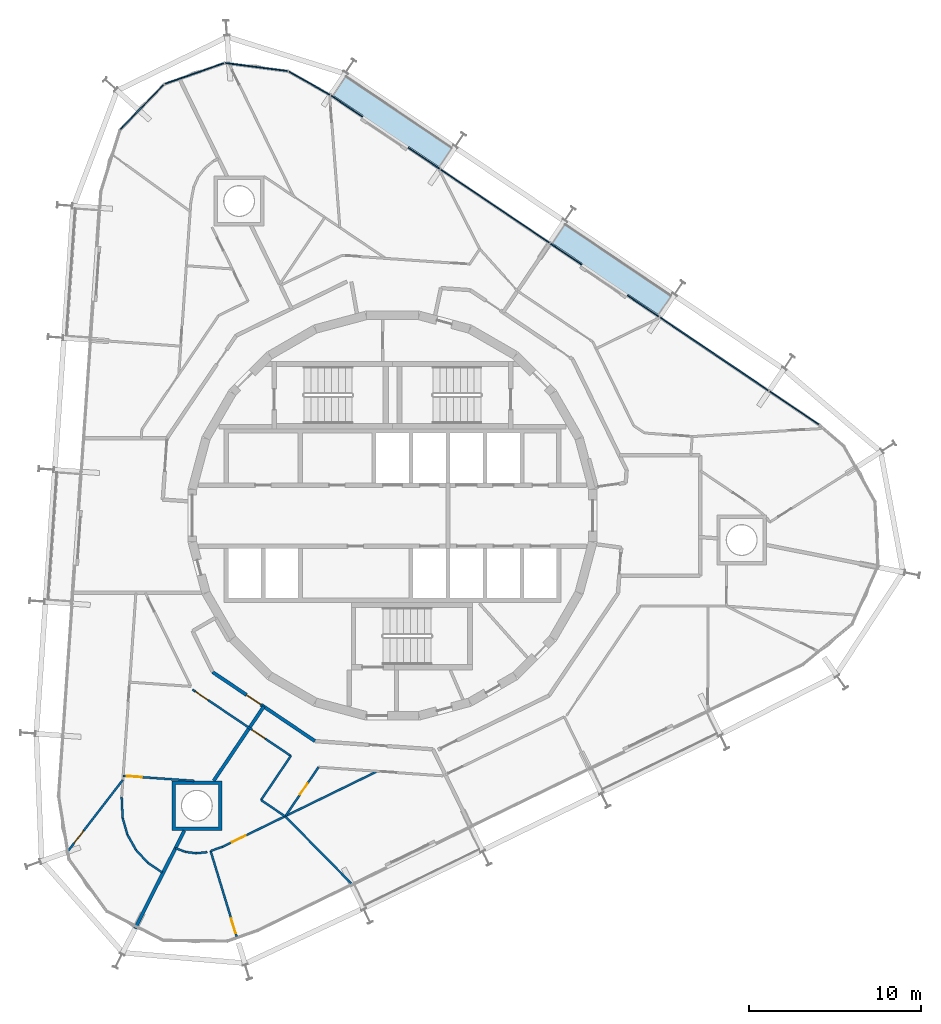
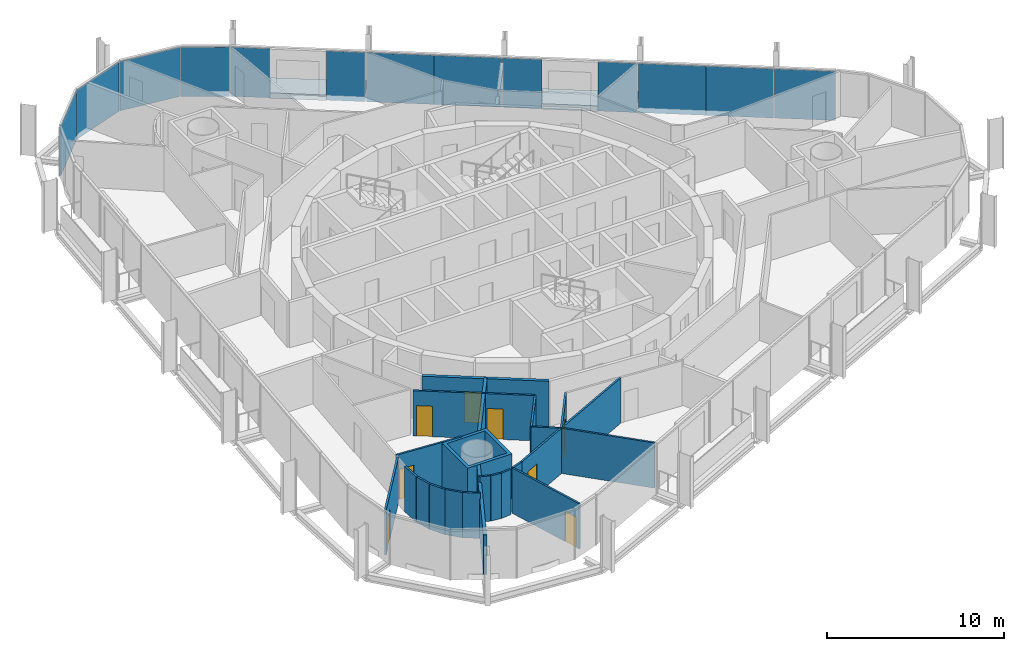
# One storey, part 11 of 17: 23 walls, 13 plates, 8 doors, 2 slabs, 8 openings, 3 elements without a shape of their own.
"""IFC4 building model written with IfcOpenShell, lengths in metres."""

from ifc_helpers import new_model, si_unit, direction, frame, frame_2d, origin, origin_2d, place, context, subcontext, project, spatial, polyline, rectangle, outline, extrude, material, layer, layer_set, type_object, element, fill, aggregate, save


model = new_model("IFC4")

# Units and contexts
model_context = context("Model", 3, precision=1e-05, world=origin(), true_north=direction((0.0, 1.0)))
body_context = subcontext(model_context, "Body", "Model", "MODEL_VIEW")
ifc_project = project(units=[si_unit("LENGTHUNIT", "METRE"), si_unit("AREAUNIT", "SQUARE_METRE"), si_unit("VOLUMEUNIT", "CUBIC_METRE"), si_unit("PLANEANGLEUNIT", "RADIAN"), si_unit("MASSUNIT", "GRAM", prefix="KILO")], contexts=[model_context])

# Site, building, storey
site_placement = place(None, origin())
site = spatial("IfcSite", under=ifc_project, at=site_placement, CompositionType="ELEMENT")
building_placement = place(site_placement, origin())
building = spatial("IfcBuilding", under=site, at=building_placement, Name="Spindle Arch Residences", CompositionType="ELEMENT")
storey_placement = place(building_placement, frame((0.0, 0.0, 209.39990234375)))
storey = spatial("IfcBuildingStorey", under=building, at=storey_placement, Name="L53", CompositionType="ELEMENT", Elevation=209.39990234375)

# Slabs
ifc_material_1 = material(Name="Concrete C40/50", Category="concrete")
ifc_layer_1 = layer(ifc_material_1, 0.3798828125)
ifc_layer_set_1 = layer_set([ifc_layer_1], Name="Balcony slab 380")
slab_type = type_object("IfcSlabType", Name="Balcony slab 380", PredefinedType="FLOOR", material=ifc_layer_set_1)
slab_1_placement = place(storey_placement, frame((0.0, 0.0, -0.3798828125)))
element("IfcSlab", 1, at=slab_1_placement, inside=storey, type_object=slab_type, Name="Balcony L53 bay 7", PredefinedType="FLOOR", context=body_context, shape_type="SweptSolid", body=[
    extrude(outline(polyline([(16.34228515625, 12.897216796875), (16.2802734375, 12.939208984375), (16.1962890625, 12.814697265625), (10.066650390625, 16.94921875), (10.150634765625, 17.07373046875), (10.08837890625, 17.115478515625), (9.255126953125, 15.88037109375), (11.0556640625, 14.665771484375), (10.96630859375, 14.533203125), (13.619140625, 12.74365234375), (13.70849609375, 12.87646484375), (15.50927734375, 11.661865234375), (16.34228515625, 12.897216796875)])), origin(), (0.0, 0.0, 1.0), 0.3798828125),
])
slab_2_placement = place(storey_placement, frame((0.0, 0.0, -0.3798828125)))
element("IfcSlab", 2, at=slab_2_placement, inside=storey, type_object=slab_type, Name="Balcony L53 bay 9", PredefinedType="FLOOR", context=body_context, shape_type="SweptSolid", body=[
    extrude(outline(polyline([(3.585693359375, 21.501708984375), (3.5234375, 21.543701171875), (3.439453125, 21.419189453125), (-2.690185546875, 25.5537109375), (-2.606201171875, 25.67822265625), (-2.66845703125, 25.719970703125), (-3.501708984375, 24.48486328125), (-1.701171875, 23.270263671875), (-1.79052734375, 23.1376953125), (0.8623046875, 21.348388671875), (0.951904296875, 21.48095703125), (2.75244140625, 20.266357421875), (3.585693359375, 21.501708984375)])), origin(), (0.0, 0.0, 1.0), 0.3798828125),
])

# Curtain wall, plate
ifc_material_2 = material(Name="Aluminium bronze unitised frame with tinted glass", Category="aluminium")
ifc_layer_2 = layer(ifc_material_2, 0.159912109375)
ifc_layer_set_2 = layer_set([ifc_layer_2], Name="CW-D corner wall on the fillet arcs")
curtain_wall_type_1 = type_object("IfcCurtainWallType", Name="CW-D corner wall on the fillet arcs", PredefinedType="NOTDEFINED", material=ifc_layer_set_2)
curtain_wall_1_placement = place(storey_placement, origin())
curtain_wall_1 = element("IfcCurtainWall", 3, at=curtain_wall_1_placement, inside=storey, type_object=curtain_wall_type_1, Name="CW-D L53 run 1", PredefinedType="NOTDEFINED")
ifc_material_3 = material(Name="Tinted double glazing over non-combustible spandrel zone with 0.55 mm stainless steel cavity fire stop (K0)", Category="steel")
ifc_layer_3 = layer(ifc_material_3, 0.070068359375)
ifc_layer_set_3 = layer_set([ifc_layer_3], Name="Unitised glass panel with spandrel zone and stainless cavity fire stop")
plate_type = type_object("IfcPlateType", Name="Unitised glass panel with spandrel zone and stainless cavity fire stop", PredefinedType="CURTAIN_PANEL", material=ifc_layer_set_3)
plate_1_placement = place(storey_placement, frame((23.36767578125, 6.264892578125, -0.3798828125), z_axis=(0.0, 0.0, 1.0), x_axis=(-0.829037572555, 0.559192903471, 0.0)))
plate_1 = element("IfcPlate", 4, at=plate_1_placement, type_object=plate_type, Name="CW-D unit 06", PredefinedType="CURTAIN_PANEL", context=body_context, shape_type="SweptSolid", body=[
    extrude(rectangle(XDim=3.468505859375, YDim=0.070068359375, at=origin_2d()), origin(), (0.0, 0.0, 1.0), 3.3798828125),
])
aggregate(curtain_wall_1, [plate_1])

# Curtain wall, plates
ifc_material_4 = material(Name="Aluminium bronze unitised frame with tinted glass", Category="aluminium")
ifc_layer_4 = layer(ifc_material_4, 0.159912109375)
ifc_layer_set_4 = layer_set([ifc_layer_4], Name="CW-C typical residential unitised wall")
curtain_wall_type_2 = type_object("IfcCurtainWallType", Name="CW-C typical residential unitised wall", PredefinedType="NOTDEFINED", material=ifc_layer_set_4)
curtain_wall_2_placement = place(storey_placement, origin())
curtain_wall_2 = element("IfcCurtainWall", 5, at=curtain_wall_2_placement, inside=storey, type_object=curtain_wall_type_2, Name="CW-C L53 run 2", PredefinedType="NOTDEFINED")
plate_2_placement = place(storey_placement, frame((20.2978515625, 8.335205078125, -0.3798828125), z_axis=(0.0, 0.0, 1.0), x_axis=(-0.829037572555, 0.559192903471, 0.0)))
plate_2 = element("IfcPlate", 6, at=plate_2_placement, type_object=plate_type, Name="CW-C unit 05A", PredefinedType="CURTAIN_PANEL", context=body_context, shape_type="SweptSolid", body=[
    extrude(rectangle(XDim=3.81689453125, YDim=0.070068359375, at=origin_2d()), origin(), (0.0, 0.0, 1.0), 3.3798828125),
])
plate_3_placement = place(storey_placement, frame((17.133544921875, 10.4697265625, -0.3798828125), z_axis=(0.0, 0.0, 1.0), x_axis=(-0.829037572555, 0.559192903471, 0.0)))
plate_3 = element("IfcPlate", 7, at=plate_3_placement, type_object=plate_type, Name="CW-C unit 05B", PredefinedType="CURTAIN_PANEL", context=body_context, shape_type="SweptSolid", body=[
    extrude(rectangle(XDim=3.81689453125, YDim=0.070068359375, at=origin_2d()), origin(), (0.0, 0.0, 1.0), 3.3798828125),
])
plate_4_placement = place(storey_placement, frame((14.582763671875, 12.190185546875, -0.3798828125), z_axis=(0.0, 0.0, 1.0), x_axis=(-0.829037572555, 0.559192903471, 0.0)))
plate_4 = element("IfcPlate", 8, at=plate_4_placement, type_object=plate_type, Name="CW-C unit 06L", PredefinedType="CURTAIN_PANEL", context=body_context, shape_type="SweptSolid", body=[
    extrude(rectangle(XDim=2.216796875, YDim=0.070068359375, at=origin_2d()), origin(), (0.0, 0.0, 1.0), 3.3798828125),
])
plate_5_placement = place(storey_placement, frame((10.092041015625, 15.21923828125, -0.3798828125), z_axis=(0.0, 0.0, 1.0), x_axis=(-0.829037572555, 0.559192903471, 0.0)))
plate_5 = element("IfcPlate", 9, at=plate_5_placement, type_object=plate_type, Name="CW-C unit 06R", PredefinedType="CURTAIN_PANEL", context=body_context, shape_type="SweptSolid", body=[
    extrude(rectangle(XDim=2.216796875, YDim=0.070068359375, at=origin_2d()), origin(), (0.0, 0.0, 1.0), 3.3798828125),
])
plate_6_placement = place(storey_placement, frame((7.541259765625, 16.93994140625, -0.3798828125), z_axis=(0.0, 0.0, 1.0), x_axis=(-0.829037572555, 0.559192903471, 0.0)))
plate_6 = element("IfcPlate", 10, at=plate_6_placement, type_object=plate_type, Name="CW-C unit 07A", PredefinedType="CURTAIN_PANEL", context=body_context, shape_type="SweptSolid", body=[
    extrude(rectangle(XDim=3.81689453125, YDim=0.070068359375, at=origin_2d()), origin(), (0.0, 0.0, 1.0), 3.3798828125),
])
plate_7_placement = place(storey_placement, frame((4.376953125, 19.07421875, -0.3798828125), z_axis=(0.0, 0.0, 1.0), x_axis=(-0.829037572555, 0.559192903471, 0.0)))
plate_7 = element("IfcPlate", 11, at=plate_7_placement, type_object=plate_type, Name="CW-C unit 07B", PredefinedType="CURTAIN_PANEL", context=body_context, shape_type="SweptSolid", body=[
    extrude(rectangle(XDim=3.81689453125, YDim=0.070068359375, at=origin_2d()), origin(), (0.0, 0.0, 1.0), 3.3798828125),
])
plate_8_placement = place(storey_placement, frame((1.825927734375, 20.794677734375, -0.3798828125), z_axis=(0.0, 0.0, 1.0), x_axis=(-0.829037572555, 0.559192903471, 0.0)))
plate_8 = element("IfcPlate", 12, at=plate_8_placement, type_object=plate_type, Name="CW-C unit 08L", PredefinedType="CURTAIN_PANEL", context=body_context, shape_type="SweptSolid", body=[
    extrude(rectangle(XDim=2.216796875, YDim=0.070068359375, at=origin_2d()), origin(), (0.0, 0.0, 1.0), 3.3798828125),
])
plate_9_placement = place(storey_placement, frame((-2.664794921875, 23.82373046875, -0.3798828125), z_axis=(0.0, 0.0, 1.0), x_axis=(-0.829037572555, 0.559192903471, 0.0)))
plate_9 = element("IfcPlate", 13, at=plate_9_placement, type_object=plate_type, Name="CW-C unit 08R", PredefinedType="CURTAIN_PANEL", context=body_context, shape_type="SweptSolid", body=[
    extrude(rectangle(XDim=2.216796875, YDim=0.070068359375, at=origin_2d()), origin(), (0.0, 0.0, 1.0), 3.3798828125),
])
aggregate(curtain_wall_2, [plate_2, plate_3, plate_4, plate_5, plate_6, plate_7, plate_8, plate_9])

curtain_wall_3_placement = place(storey_placement, origin())
curtain_wall_3 = element("IfcCurtainWall", 14, at=curtain_wall_3_placement, inside=storey, type_object=curtain_wall_type_1, Name="CW-D L53 run 3", PredefinedType="NOTDEFINED")
plate_10_placement = place(storey_placement, frame((-4.84130859375, 25.16064453125, -0.3798828125), z_axis=(0.0, 0.0, 1.0), x_axis=(-0.86953871595, 0.493864780547, 0.0)))
plate_10 = element("IfcPlate", 15, at=plate_10_placement, type_object=plate_type, Name="CW-D unit 00", PredefinedType="CURTAIN_PANEL", context=body_context, shape_type="SweptSolid", body=[
    extrude(rectangle(XDim=2.775634765625, YDim=0.070068359375, at=origin_2d()), origin(), (0.0, 0.0, 1.0), 3.3798828125),
])
plate_11_placement = place(storey_placement, frame((-7.92236328125, 26.0986328125, -0.3798828125), z_axis=(0.0, 0.0, 1.0), x_axis=(-0.991820351023, 0.127641651888, 0.0)))
plate_11 = element("IfcPlate", 16, at=plate_11_placement, type_object=plate_type, Name="CW-D unit 01", PredefinedType="CURTAIN_PANEL", context=body_context, shape_type="SweptSolid", body=[
    extrude(rectangle(XDim=3.666748046875, YDim=0.070068359375, at=origin_2d()), origin(), (0.0, 0.0, 1.0), 3.3798828125),
])
plate_12_placement = place(storey_placement, frame((-11.52880859375, 25.7197265625, -0.3798828125), z_axis=(0.0, 0.0, 1.0), x_axis=(-0.943608508302, -0.331063412445, 0.0)))
plate_12 = element("IfcPlate", 17, at=plate_12_placement, type_object=plate_type, Name="CW-D unit 02", PredefinedType="CURTAIN_PANEL", context=body_context, shape_type="SweptSolid", body=[
    extrude(rectangle(XDim=3.666748046875, YDim=0.070068359375, at=origin_2d()), origin(), (0.0, 0.0, 1.0), 3.3798828125),
])
plate_13_placement = place(storey_placement, frame((-14.58154296875, 23.762451171875, -0.3798828125), z_axis=(0.0, 0.0, 1.0), x_axis=(-0.694658368802, -0.719339801939, 0.0)))
plate_13 = element("IfcPlate", 18, at=plate_13_placement, type_object=plate_type, Name="CW-D unit 03", PredefinedType="CURTAIN_PANEL", context=body_context, shape_type="SweptSolid", body=[
    extrude(rectangle(XDim=3.666748046875, YDim=0.070068359375, at=origin_2d()), origin(), (0.0, 0.0, 1.0), 3.3798828125),
])
aggregate(curtain_wall_3, [plate_10, plate_11, plate_12, plate_13])

# Wall, opening, door
ifc_material_5 = material(Name="Calcium silicate block, plastered")
ifc_layer_5 = layer(ifc_material_5, 0.199951171875)
ifc_layer_set_5 = layer_set([ifc_layer_5], Name="Corridor wall 200")
wall_type_1 = type_object("IfcWallType", Name="Corridor wall 200", PredefinedType="STANDARD", material=ifc_layer_set_5)
wall_1_placement = place(storey_placement, frame((-10.469970703125, -9.101318359375, 0.0), z_axis=(0.0, 0.0, 1.0), x_axis=(0.829035841718, -0.559195469534, 0.0)))
wall_1 = element("IfcWall", 19, at=wall_1_placement, inside=storey, type_object=wall_type_1, Name="Corridor wall R5C0-W017", PredefinedType="STANDARD", context=body_context, shape_type="SweptSolid", body=[
    extrude(rectangle(XDim=7.18115234375, YDim=0.199951171875, at=frame_2d((3.590576171875, 0.0))), origin(), (0.0, 0.0, 1.0), 3.1201171875),
])
opening_1_placement = place(wall_1_placement, frame((2.390380859375, 0.0, 0.0)))
opening_1 = element("IfcOpeningElement", 20, at=opening_1_placement, cuts=wall_1, Name="Opening R5C0-FD04", PredefinedType="OPENING", context=body_context, shape_type="SweptSolid", body=[
    extrude(rectangle(XDim=1.0, YDim=2.10009765625, at=frame_2d((0.5, 1.050048828125))), frame((0.0, 0.10986328125, 0.0), z_axis=(0.0, -1.0, 0.0), x_axis=(1.0, 0.0, 0.0)), (0.0, 0.0, 1.0), 0.219970703125),
])
ifc_material_6 = material(Name="Timber, fire-resisting door set", Category="wood")
door_type_1 = type_object("IfcDoorType", Name="Flat entrance door 1000x2100", OperationType="NOTDEFINED", PredefinedType="DOOR", material=ifc_material_6)
door_1_placement = place(opening_1_placement, origin())
door_1 = element("IfcDoor", 21, at=door_1_placement, inside=storey, type_object=door_type_1, Name="Flat entrance door R5C0-FD04", OperationType="SINGLE_SWING_RIGHT", OverallHeight=2.10009765625, OverallWidth=1.0, PredefinedType="DOOR", context=body_context, shape_type="SweptSolid", body=[
    extrude(rectangle(XDim=1.0, YDim=2.10009765625, at=frame_2d((0.5, 1.050048828125))), frame((0.0, 0.02490234375, 0.0), z_axis=(0.0, -1.0, 0.0), x_axis=(1.0, 0.0, 0.0)), (0.0, 0.0, 1.0), 0.050048828125),
])
fill(opening_1, door_1)

# Wall, openings, doors
ifc_material_7 = material(Name="Plasterboard on steel studs", Category="steel")
ifc_layer_6 = layer(ifc_material_7, 0.1201171875)
ifc_layer_set_6 = layer_set([ifc_layer_6], Name="Flat partition 120")
wall_type_2 = type_object("IfcWallType", Name="Flat partition 120", PredefinedType="PARTITIONING", material=ifc_layer_set_6)
wall_2_placement = place(storey_placement, frame((-11.641845703125, -10.1201171875, 0.0), z_axis=(0.0, 0.0, 1.0), x_axis=(0.829029427133, -0.559204979365, 0.0)))
wall_2 = element("IfcWall", 22, at=wall_2_placement, inside=storey, type_object=wall_type_2, Name="Flat partition R5C0-W071", PredefinedType="PARTITIONING", context=body_context, shape_type="SweptSolid", body=[
    extrude(rectangle(XDim=6.90380859375, YDim=0.1201171875, at=frame_2d((3.451904296875, 0.0))), origin(), (0.0, 0.0, 1.0), 3.1201171875),
])
opening_2_placement = place(wall_2_placement, frame((0.199951171875, 0.0, 0.0)))
opening_2 = element("IfcOpeningElement", 23, at=opening_2_placement, cuts=wall_2, Name="Opening R5C0-ID14", PredefinedType="OPENING", context=body_context, shape_type="SweptSolid", body=[
    extrude(rectangle(XDim=0.89990234375, YDim=2.10009765625, at=frame_2d((0.449951171875, 1.050048828125))), frame((0.0, 0.070068359375, 0.0), z_axis=(0.0, -1.0, 0.0), x_axis=(1.0, 0.0, 0.0)), (0.0, 0.0, 1.0), 0.14013671875),
])
opening_3_placement = place(wall_2_placement, frame((4.1923828125, 0.0, 0.0)))
opening_3 = element("IfcOpeningElement", 24, at=opening_3_placement, cuts=wall_2, Name="Opening R5C0-ID18", PredefinedType="OPENING", context=body_context, shape_type="SweptSolid", body=[
    extrude(rectangle(XDim=0.89990234375, YDim=2.10009765625, at=frame_2d((0.449951171875, 1.050048828125))), frame((0.0, 0.070068359375, 0.0), z_axis=(0.0, -1.0, 0.0), x_axis=(1.0, 0.0, 0.0)), (0.0, 0.0, 1.0), 0.14013671875),
])
ifc_material_8 = material(Name="Timber door set", Category="wood")
door_type_2 = type_object("IfcDoorType", Name="Room door 900x2100", OperationType="NOTDEFINED", PredefinedType="DOOR", material=ifc_material_8)
door_2_placement = place(opening_2_placement, origin())
door_2 = element("IfcDoor", 25, at=door_2_placement, inside=storey, type_object=door_type_2, Name="Room door R5C0-ID14", OperationType="SINGLE_SWING_RIGHT", OverallHeight=2.10009765625, OverallWidth=0.89990234375, PredefinedType="DOOR", context=body_context, shape_type="SweptSolid", body=[
    extrude(rectangle(XDim=0.89990234375, YDim=2.10009765625, at=frame_2d((0.449951171875, 1.050048828125))), frame((0.0, 0.02490234375, 0.0), z_axis=(0.0, -1.0, 0.0), x_axis=(1.0, 0.0, 0.0)), (0.0, 0.0, 1.0), 0.050048828125),
])
fill(opening_2, door_2)
door_3_placement = place(opening_3_placement, origin())
door_3 = element("IfcDoor", 26, at=door_3_placement, inside=storey, type_object=door_type_2, Name="Room door R5C0-ID18", OperationType="SINGLE_SWING_LEFT", OverallHeight=2.10009765625, OverallWidth=0.89990234375, PredefinedType="DOOR", context=body_context, shape_type="SweptSolid", body=[
    extrude(rectangle(XDim=0.89990234375, YDim=2.10009765625, at=frame_2d((0.449951171875, 1.050048828125))), frame((0.0, 0.02490234375, 0.0), z_axis=(0.0, -1.0, 0.0), x_axis=(1.0, 0.0, 0.0)), (0.0, 0.0, 1.0), 0.050048828125),
])
fill(opening_3, door_3)

# Wall, opening, door
wall_3_placement = place(storey_placement, frame((-18.892333984375, -19.530517578125, 0.0), z_axis=(0.0, 0.0, 1.0), x_axis=(0.610347240441, 0.792133982408, 0.0)))
wall_3 = element("IfcWall", 27, at=wall_3_placement, inside=storey, type_object=wall_type_2, Name="Flat partition R5C0-W074", PredefinedType="PARTITIONING", context=body_context, shape_type="SweptSolid", body=[
    extrude(rectangle(XDim=5.244384765625, YDim=0.1201171875, at=frame_2d((2.6220703125, 0.0))), origin(), (0.0, 0.0, 1.0), 3.1201171875),
])
opening_4_placement = place(wall_3_placement, frame((0.60009765625, 0.0, 0.0)))
opening_4 = element("IfcOpeningElement", 28, at=opening_4_placement, cuts=wall_3, Name="Opening R5C0-ID17", PredefinedType="OPENING", context=body_context, shape_type="SweptSolid", body=[
    extrude(rectangle(XDim=0.89990234375, YDim=2.10009765625, at=frame_2d((0.449951171875, 1.050048828125))), frame((0.0, 0.070068359375, 0.0), z_axis=(0.0, -1.0, 0.0), x_axis=(1.0, 0.0, 0.0)), (0.0, 0.0, 1.0), 0.14013671875),
])
door_4_placement = place(opening_4_placement, origin())
door_4 = element("IfcDoor", 29, at=door_4_placement, inside=storey, type_object=door_type_2, Name="Room door R5C0-ID17", OperationType="SINGLE_SWING_RIGHT", OverallHeight=2.10009765625, OverallWidth=0.89990234375, PredefinedType="DOOR", context=body_context, shape_type="SweptSolid", body=[
    extrude(rectangle(XDim=0.89990234375, YDim=2.10009765625, at=frame_2d((0.449951171875, 1.050048828125))), frame((0.0, 0.02490234375, 0.0), z_axis=(0.0, -1.0, 0.0), x_axis=(1.0, 0.0, 0.0)), (0.0, 0.0, 1.0), 0.050048828125),
])
fill(opening_4, door_4)

wall_4_placement = place(storey_placement, frame((-15.675048828125, -15.14111328125, 0.0), z_axis=(0.0, 0.0, 1.0), x_axis=(0.997563107735, -0.06976995117, 0.0)))
wall_4 = element("IfcWall", 30, at=wall_4_placement, inside=storey, type_object=wall_type_2, Name="Flat partition R5C0-W075", PredefinedType="PARTITIONING", context=body_context, shape_type="SweptSolid", body=[
    extrude(rectangle(XDim=4.146484375, YDim=0.1201171875, at=frame_2d((2.0732421875, 0.0))), origin(), (0.0, 0.0, 1.0), 3.1201171875),
])
opening_5_placement = place(wall_4_placement, frame((0.199951171875, 0.0, 0.0)))
opening_5 = element("IfcOpeningElement", 31, at=opening_5_placement, cuts=wall_4, Name="Opening R5C0-ID16", PredefinedType="OPENING", context=body_context, shape_type="SweptSolid", body=[
    extrude(rectangle(XDim=0.89990234375, YDim=2.10009765625, at=frame_2d((0.449951171875, 1.050048828125))), frame((0.0, 0.070068359375, 0.0), z_axis=(0.0, -1.0, 0.0), x_axis=(1.0, 0.0, 0.0)), (0.0, 0.0, 1.0), 0.14013671875),
])
door_5_placement = place(opening_5_placement, origin())
door_5 = element("IfcDoor", 32, at=door_5_placement, inside=storey, type_object=door_type_2, Name="Room door R5C0-ID16", OperationType="SINGLE_SWING_RIGHT", OverallHeight=2.10009765625, OverallWidth=0.89990234375, PredefinedType="DOOR", context=body_context, shape_type="SweptSolid", body=[
    extrude(rectangle(XDim=0.89990234375, YDim=2.10009765625, at=frame_2d((0.449951171875, 1.050048828125))), frame((0.0, 0.02490234375, 0.0), z_axis=(0.0, -1.0, 0.0), x_axis=(1.0, 0.0, 0.0)), (0.0, 0.0, 1.0), 0.050048828125),
])
fill(opening_5, door_5)

# Walls
for number, where, z_axis, x_axis, name in (
    (33, (-13.39501953125, -20.767333984375, 0.0), (0.0, 0.0, 1.0), (-0.829155030747, 0.559018725077, 0.0), "Flat partition R5C0-W076"),
    (34, (-14.2373046875, -20.199462890625, 0.0), (0.0, 0.0, 1.0), (-0.677681015856, 0.735355995929, 0.0), "Flat partition R5C0-W077"),
):
    element("IfcWall", number, at=place(storey_placement, frame(where, z_axis=z_axis, x_axis=x_axis)), inside=storey, type_object=wall_type_2, Name=name, PredefinedType="PARTITIONING", context=body_context, shape_type="SweptSolid", body=[
        extrude(rectangle(XDim=1.015869140625, YDim=0.1201171875, at=frame_2d((0.5078125, 0.0))), origin(), (0.0, 0.0, 1.0), 3.1201171875),
    ])
wall_5_placement = place(storey_placement, frame((-14.92578125, -19.452392578125, 0.0), z_axis=(0.0, 0.0, 1.0), x_axis=(-0.489941776958, 0.871755157823, 0.0)))
element("IfcWall", 35, at=wall_5_placement, inside=storey, type_object=wall_type_2, Name="Flat partition R5C0-W078", PredefinedType="PARTITIONING", context=body_context, shape_type="SweptSolid", body=[
    extrude(rectangle(XDim=1.01611328125, YDim=0.1201171875, at=frame_2d((0.508056640625, 0.0))), origin(), (0.0, 0.0, 1.0), 3.1201171875),
])
wall_6_placement = place(storey_placement, frame((-15.423583984375, -18.566650390625, 0.0), z_axis=(0.0, 0.0, 1.0), x_axis=(-0.275641454312, 0.961260520704, 0.0)))
element("IfcWall", 36, at=wall_6_placement, inside=storey, type_object=wall_type_2, Name="Flat partition R5C0-W079", PredefinedType="PARTITIONING", context=body_context, shape_type="SweptSolid", body=[
    extrude(rectangle(XDim=1.015869140625, YDim=0.1201171875, at=frame_2d((0.5078125, 0.0))), origin(), (0.0, 0.0, 1.0), 3.1201171875),
])
wall_7_placement = place(storey_placement, frame((-15.70361328125, -17.590087890625, 0.0), z_axis=(0.0, 0.0, 1.0), x_axis=(-0.046364428258, 0.998924591645, 0.0)))
element("IfcWall", 37, at=wall_7_placement, inside=storey, type_object=wall_type_2, Name="Flat partition R5C0-W080", PredefinedType="PARTITIONING", context=body_context, shape_type="SweptSolid", body=[
    extrude(rectangle(XDim=1.226806640625, YDim=0.1201171875, at=frame_2d((0.61328125, 0.0))), origin(), (0.0, 0.0, 1.0), 3.1201171875),
])
wall_8_placement = place(storey_placement, frame((-5.91845703125, -13.980712890625, 0.0), z_axis=(0.0, 0.0, 1.0), x_axis=(-0.559254999968, -0.828995684555, 0.0)))
element("IfcWall", 38, at=wall_8_placement, inside=storey, type_object=wall_type_2, Name="Flat partition R5C0-W081", PredefinedType="PARTITIONING", context=body_context, shape_type="SweptSolid", body=[
    extrude(rectangle(XDim=3.09912109375, YDim=0.1201171875, at=frame_2d((1.549560546875, 0.0))), origin(), (0.0, 0.0, 1.0), 3.1201171875),
])
wall_9_placement = place(storey_placement, frame((-7.651611328125, -16.5498046875, 0.0), z_axis=(0.0, 0.0, 1.0), x_axis=(0.829053397483, -0.559169441334, 0.0)))
element("IfcWall", 39, at=wall_9_placement, inside=storey, type_object=wall_type_2, Name="Flat partition R5C0-W082", PredefinedType="PARTITIONING", context=body_context, shape_type="SweptSolid", body=[
    extrude(rectangle(XDim=1.686279296875, YDim=0.1201171875, at=frame_2d((0.84326171875, 0.0))), origin(), (0.0, 0.0, 1.0), 3.1201171875),
])

# Wall, opening, door
wall_10_placement = place(storey_placement, frame((-6.228515625, -17.480224609375, 0.0), z_axis=(0.0, 0.0, 1.0), x_axis=(0.559206483048, 0.829028412853, 0.0)))
wall_10 = element("IfcWall", 40, at=wall_10_placement, inside=storey, type_object=wall_type_2, Name="Flat partition R5C0-W083", PredefinedType="PARTITIONING", context=body_context, shape_type="SweptSolid", body=[
    extrude(rectangle(XDim=3.431884765625, YDim=0.1201171875, at=frame_2d((1.7158203125, 0.0))), origin(), (0.0, 0.0, 1.0), 3.1201171875),
])
opening_6_placement = place(wall_10_placement, frame((1.5, 0.0, 0.0)))
opening_6 = element("IfcOpeningElement", 41, at=opening_6_placement, cuts=wall_10, Name="Opening R5C0-BD05", PredefinedType="OPENING", context=body_context, shape_type="SweptSolid", body=[
    extrude(rectangle(XDim=0.800048828125, YDim=2.10009765625, at=frame_2d((0.39990234375, 1.050048828125))), frame((0.0, 0.070068359375, 0.0), z_axis=(0.0, -1.0, 0.0), x_axis=(1.0, 0.0, 0.0)), (0.0, 0.0, 1.0), 0.14013671875),
])
ifc_material_9 = material(Name="Timber door set", Category="wood")
door_type_3 = type_object("IfcDoorType", Name="Bathroom door 800x2100", OperationType="NOTDEFINED", PredefinedType="DOOR", material=ifc_material_9)
door_6_placement = place(opening_6_placement, origin())
door_6 = element("IfcDoor", 42, at=door_6_placement, inside=storey, type_object=door_type_3, Name="Bathroom door R5C0-BD05", OperationType="SINGLE_SWING_LEFT", OverallHeight=2.10009765625, OverallWidth=0.800048828125, PredefinedType="DOOR", context=body_context, shape_type="SweptSolid", body=[
    extrude(rectangle(XDim=0.800048828125, YDim=2.10009765625, at=frame_2d((0.39990234375, 1.050048828125))), frame((0.0, 0.02490234375, 0.0), z_axis=(0.0, -1.0, 0.0), x_axis=(1.0, 0.0, 0.0)), (0.0, 0.0, 1.0), 0.050048828125),
])
fill(opening_6, door_6)

# Walls
wall_11_placement = place(storey_placement, frame((-12.627685546875, -19.3466796875, 0.0), z_axis=(0.0, 0.0, 1.0), x_axis=(0.935507243946, -0.353307509862, 0.0)))
element("IfcWall", 43, at=wall_11_placement, inside=storey, type_object=wall_type_2, Name="Flat partition R5C0-W085", PredefinedType="PARTITIONING", context=body_context, shape_type="SweptSolid", body=[
    extrude(rectangle(XDim=0.6123046875, YDim=0.1201171875, at=frame_2d((0.30615234375, 0.0))), origin(), (0.0, 0.0, 1.0), 3.1201171875),
])
wall_12_placement = place(storey_placement, frame((-12.054931640625, -19.56298828125, 0.0), z_axis=(0.0, 0.0, 1.0), x_axis=(0.991802759529, -0.127778269633, 0.0)))
element("IfcWall", 44, at=wall_12_placement, inside=storey, type_object=wall_type_2, Name="Flat partition R5C0-W086", PredefinedType="PARTITIONING", context=body_context, shape_type="SweptSolid", body=[
    extrude(rectangle(XDim=0.64208984375, YDim=0.1201171875, at=frame_2d((0.321044921875, 0.0))), origin(), (0.0, 0.0, 1.0), 3.1201171875),
])
wall_13_placement = place(storey_placement, frame((-11.418212890625, -19.64501953125, 0.0), z_axis=(0.0, 0.0, 1.0), x_axis=(0.994515867502, 0.104585798686, 0.0)))
element("IfcWall", 45, at=wall_13_placement, inside=storey, type_object=wall_type_2, Name="Flat partition R5C0-W087", PredefinedType="PARTITIONING", context=body_context, shape_type="SweptSolid", body=[
    extrude(rectangle(XDim=0.641845703125, YDim=0.1201171875, at=frame_2d((0.32080078125, 0.0))), origin(), (0.0, 0.0, 1.0), 3.1201171875),
])
wall_14_placement = place(storey_placement, frame((-10.586181640625, -19.510009765625, 0.0), z_axis=(0.0, 0.0, 1.0), x_axis=(0.943560277016, 0.3312008509, 0.0)))
element("IfcWall", 46, at=wall_14_placement, inside=storey, type_object=wall_type_2, Name="Flat partition R5C0-W088", PredefinedType="PARTITIONING", context=body_context, shape_type="SweptSolid", body=[
    extrude(rectangle(XDim=0.741455078125, YDim=0.1201171875, at=frame_2d((0.37060546875, 0.0))), origin(), (0.0, 0.0, 1.0), 3.1201171875),
])

# Wall, opening, door
wall_15_placement = place(storey_placement, frame((-9.886474609375, -19.264404296875, 0.0), z_axis=(0.0, 0.0, 1.0), x_axis=(0.898796326112, 0.43836647245, 0.0)))
wall_15 = element("IfcWall", 47, at=wall_15_placement, inside=storey, type_object=wall_type_2, Name="Flat partition R5C0-W089", PredefinedType="PARTITIONING", context=body_context, shape_type="SweptSolid", body=[
    extrude(rectangle(XDim=10.01416015625, YDim=0.1201171875, at=frame_2d((5.007080078125, 0.0))), origin(), (0.0, 0.0, 1.0), 3.1201171875),
])
opening_7_placement = place(wall_15_placement, frame((0.60009765625, 0.0, 0.0)))
opening_7 = element("IfcOpeningElement", 48, at=opening_7_placement, cuts=wall_15, Name="Opening R5C0-ID20", PredefinedType="OPENING", context=body_context, shape_type="SweptSolid", body=[
    extrude(rectangle(XDim=0.89990234375, YDim=2.10009765625, at=frame_2d((0.449951171875, 1.050048828125))), frame((0.0, 0.070068359375, 0.0), z_axis=(0.0, -1.0, 0.0), x_axis=(1.0, 0.0, 0.0)), (0.0, 0.0, 1.0), 0.14013671875),
])
door_7_placement = place(opening_7_placement, origin())
door_7 = element("IfcDoor", 49, at=door_7_placement, inside=storey, type_object=door_type_2, Name="Room door R5C0-ID20", OperationType="SINGLE_SWING_LEFT", OverallHeight=2.10009765625, OverallWidth=0.89990234375, PredefinedType="DOOR", context=body_context, shape_type="SweptSolid", body=[
    extrude(rectangle(XDim=0.89990234375, YDim=2.10009765625, at=frame_2d((0.449951171875, 1.050048828125))), frame((0.0, 0.02490234375, 0.0), z_axis=(0.0, -1.0, 0.0), x_axis=(1.0, 0.0, 0.0)), (0.0, 0.0, 1.0), 0.050048828125),
])
fill(opening_7, door_7)

wall_16_placement = place(storey_placement, frame((-9.071533203125, -24.4892578125, 0.0), z_axis=(0.0, 0.0, 1.0), x_axis=(-0.291025348593, 0.956715342449, 0.0)))
wall_16 = element("IfcWall", 50, at=wall_16_placement, inside=storey, type_object=wall_type_2, Name="Flat partition R5C0-W090", PredefinedType="PARTITIONING", context=body_context, shape_type="SweptSolid", body=[
    extrude(rectangle(XDim=5.20458984375, YDim=0.1201171875, at=frame_2d((2.602294921875, 0.0))), origin(), (0.0, 0.0, 1.0), 3.1201171875),
])
opening_8_placement = place(wall_16_placement, frame((0.199951171875, 0.0, 0.0)))
opening_8 = element("IfcOpeningElement", 51, at=opening_8_placement, cuts=wall_16, Name="Opening R5C0-ID21", PredefinedType="OPENING", context=body_context, shape_type="SweptSolid", body=[
    extrude(rectangle(XDim=0.89990234375, YDim=2.10009765625, at=frame_2d((0.449951171875, 1.050048828125))), frame((0.0, 0.070068359375, 0.0), z_axis=(0.0, -1.0, 0.0), x_axis=(1.0, 0.0, 0.0)), (0.0, 0.0, 1.0), 0.14013671875),
])
door_8_placement = place(opening_8_placement, origin())
door_8 = element("IfcDoor", 52, at=door_8_placement, inside=storey, type_object=door_type_2, Name="Room door R5C0-ID21", OperationType="SINGLE_SWING_LEFT", OverallHeight=2.10009765625, OverallWidth=0.89990234375, PredefinedType="DOOR", context=body_context, shape_type="SweptSolid", body=[
    extrude(rectangle(XDim=0.89990234375, YDim=2.10009765625, at=frame_2d((0.449951171875, 1.050048828125))), frame((0.0, 0.02490234375, 0.0), z_axis=(0.0, -1.0, 0.0), x_axis=(1.0, 0.0, 0.0)), (0.0, 0.0, 1.0), 0.050048828125),
])
fill(opening_8, door_8)

# Walls
wall_17_placement = place(storey_placement, frame((-2.402587890625, -21.39990234375, 0.0), z_axis=(0.0, 0.0, 1.0), x_axis=(-0.70162063199, 0.712550692067, 0.0)))
element("IfcWall", 53, at=wall_17_placement, inside=storey, type_object=wall_type_2, Name="Flat partition R5C0-W091", PredefinedType="PARTITIONING", context=body_context, shape_type="SweptSolid", body=[
    extrude(rectangle(XDim=5.472412109375, YDim=0.1201171875, at=frame_2d((2.736328125, 0.0))), origin(), (0.0, 0.0, 1.0), 3.1201171875),
])
ifc_material_10 = material(Name="Calcium silicate block, plastered")
ifc_layer_7 = layer(ifc_material_10, 0.199951171875)
ifc_layer_set_7 = layer_set([ifc_layer_7], Name="Flat party wall 200")
wall_type_3 = type_object("IfcWallType", Name="Flat party wall 200", PredefinedType="STANDARD", material=ifc_layer_set_7)
wall_18_placement = place(storey_placement, frame((-10.407958984375, -15.430419921875, 0.0), z_axis=(0.0, 0.0, 1.0), x_axis=(0.559199317758, 0.829033246027, 0.0)))
element("IfcWall", 54, at=wall_18_placement, inside=storey, type_object=wall_type_3, Name="Flat party wall R5C0-W033", PredefinedType="STANDARD", context=body_context, shape_type="SweptSolid", body=[
    extrude(rectangle(XDim=5.21240234375, YDim=0.199951171875, at=frame_2d((2.606201171875, 0.0))), origin(), (0.0, 0.0, 1.0), 3.1201171875),
])
wall_19_placement = place(storey_placement, frame((-12.627685546875, -19.3466796875, 0.0), z_axis=(0.0, 0.0, 1.0), x_axis=(0.449615653781, 0.8932221246, 0.0)))
element("IfcWall", 55, at=wall_19_placement, inside=storey, type_object=wall_type_3, Name="Flat party wall R5C0-W035", PredefinedType="STANDARD", context=body_context, shape_type="SweptSolid", body=[
    extrude(rectangle(XDim=1.1376953125, YDim=0.199951171875, at=frame_2d((0.56884765625, 0.0))), origin(), (0.0, 0.0, 1.0), 3.1201171875),
])
ifc_material_11 = material(Name="Calcium silicate block, plastered")
ifc_layer_8 = layer(ifc_material_11, 0.199951171875)
ifc_layer_set_8 = layer_set([ifc_layer_8], Name="Flat party wall 200 under beam 2730")
wall_type_4 = type_object("IfcWallType", Name="Flat party wall 200 under beam 2730", PredefinedType="STANDARD", material=ifc_layer_set_8)
wall_20_placement = place(storey_placement, frame((-14.9794921875, -24.017333984375, 0.0), z_axis=(0.0, 0.0, 1.0), x_axis=(0.449732900329, 0.89316309729, 0.0)))
element("IfcWall", 56, at=wall_20_placement, inside=storey, type_object=wall_type_4, Name="Flat party wall R5C0-W034", PredefinedType="STANDARD", context=body_context, shape_type="SweptSolid", body=[
    extrude(rectangle(XDim=5.229248046875, YDim=0.199951171875, at=frame_2d((2.61474609375, 0.0))), origin(), (0.0, 0.0, 1.0), 2.72998046875),
])
ifc_material_12 = material(Name="Calcium silicate block, plastered")
ifc_layer_9 = layer(ifc_material_12, 0.199951171875)
ifc_layer_set_9 = layer_set([ifc_layer_9], Name="Mega-column casing wall 200")
wall_type_5 = type_object("IfcWallType", Name="Mega-column casing wall 200", PredefinedType="STANDARD", material=ifc_layer_set_9)
wall_21_placement = place(storey_placement, origin())
element("IfcWall", 57, at=wall_21_placement, inside=storey, type_object=wall_type_5, Name="Mega-column casing wall R5C0-WC02", PredefinedType="STANDARD", context=body_context, shape_type="SweptSolid", body=[
    extrude(outline(polyline([(-9.93603515625, -15.430419921875), (-9.93603515625, -18.33056640625), (-12.8359375, -18.33056640625), (-12.8359375, -15.430419921875), (-9.93603515625, -15.430419921875)]), holes=[polyline([(-12.635986328125, -18.130615234375), (-10.135986328125, -18.130615234375), (-10.135986328125, -15.630615234375), (-12.635986328125, -15.630615234375), (-12.635986328125, -18.130615234375)])]), origin(), (0.0, 0.0, 1.0), 3.1201171875),
])

save(model, "model.ifc")
